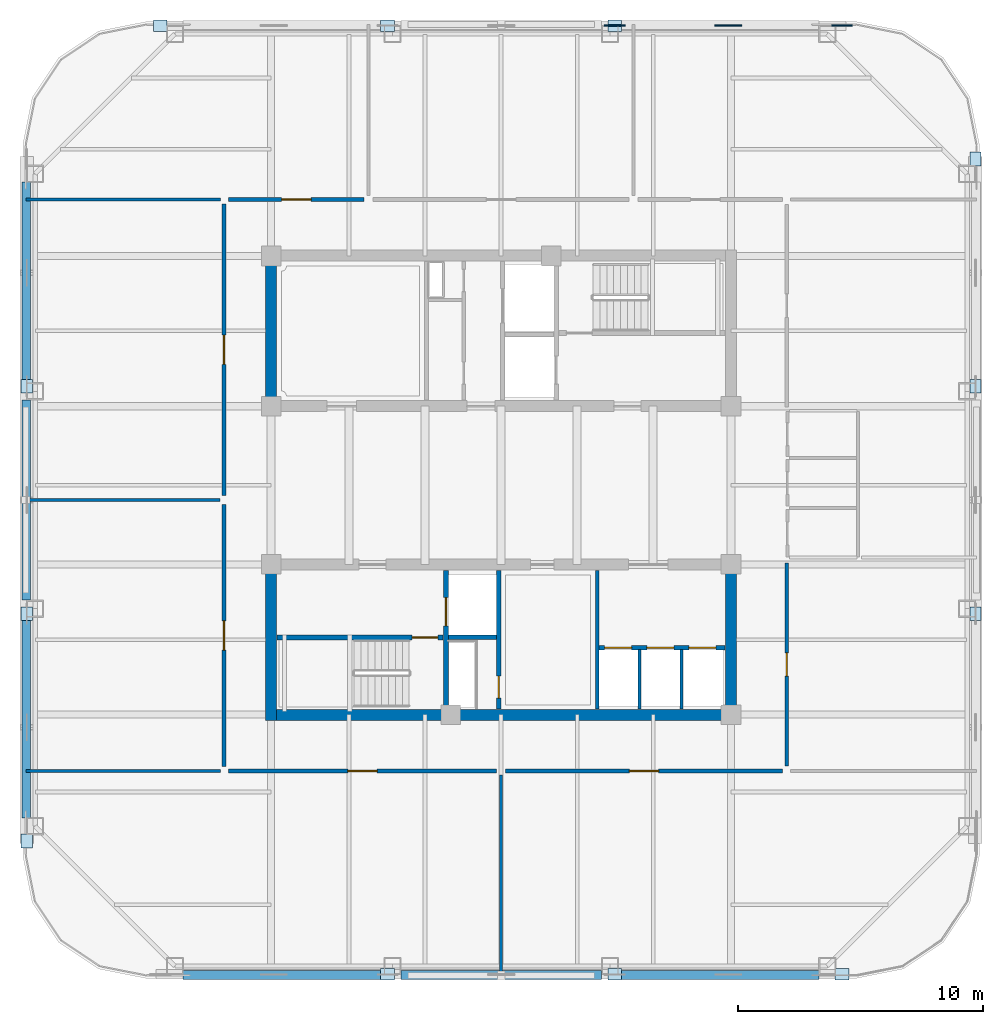
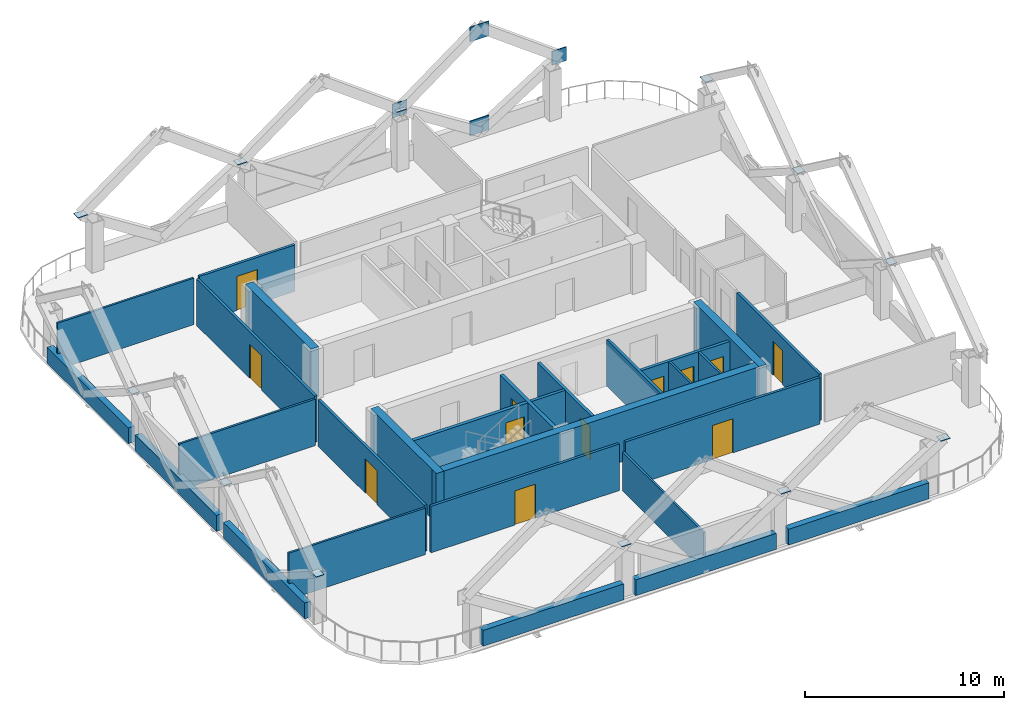
# One storey, part 3 of 8: 28 walls, 16 plates, 12 doors, 12 openings.
"""IFC4 building model written with IfcOpenShell, lengths in metres."""

from ifc_helpers import new_model, si_unit, direction, frame, frame_2d, origin, origin_2d, place, context, subcontext, project, spatial, rectangle, extrude, material, layer, layer_set, type_object, element, fill, save


model = new_model("IFC4")

# Units and contexts
model_context = context("Model", 3, precision=1e-05, world=origin(), true_north=direction((0.0, 1.0)))
body_context = subcontext(model_context, "Body", "Model", "MODEL_VIEW")
ifc_project = project(units=[si_unit("LENGTHUNIT", "METRE"), si_unit("AREAUNIT", "SQUARE_METRE"), si_unit("VOLUMEUNIT", "CUBIC_METRE"), si_unit("PLANEANGLEUNIT", "RADIAN"), si_unit("MASSUNIT", "GRAM", prefix="KILO")], contexts=[model_context])

# Site, building, storey
site_placement = place(None, origin())
site = spatial("IfcSite", under=ifc_project, at=site_placement, CompositionType="ELEMENT")
building_placement = place(site_placement, origin())
building = spatial("IfcBuilding", under=site, at=building_placement, Name="Qhalaya Broadcast Tower", CompositionType="ELEMENT")
storey_placement = place(building_placement, frame((0.0, 0.0, 223.89990234375)))
storey = spatial("IfcBuildingStorey", under=building, at=storey_placement, Name="L66", CompositionType="ELEMENT", Elevation=223.89990234375)

# Plates
ifc_material_1 = material(Name="Structural Steel ASTM A572 Grade 50", Category="steel")
ifc_layer_1 = layer(ifc_material_1, 0.054931640625, Name="Structural Steel ASTM A572 Grade 50")
ifc_layer_set_1 = layer_set([ifc_layer_1], Name="Structural Steel ASTM A572 Grade 50")
plate_type_1 = type_object("IfcPlateType", Name="Exoskeleton Diamond Node Gusset Plate NP-01", PredefinedType="USERDEFINED", material=ifc_layer_set_1)
for number, where, z_axis, x_axis, name in (
    (1, (9.2666015625, 19.340087890625, 0.210205078125), (0.0, 0.0, 1.0), (1.0, 0.0, 0.0), "Exoskeleton Diamond Node B5-N1-BOT"),
    (2, (9.2666015625, 19.340087890625, 5.990234375), (0.0, 0.0, 1.0), (1.0, 0.0, 0.0), "Exoskeleton Diamond Node B5-N1-TOP"),
):
    element("IfcPlate", number, at=place(storey_placement, frame(where, z_axis=z_axis, x_axis=x_axis)), inside=storey, type_object=plate_type_1, Name=name, ObjectType="GUSSET_PLATE", PredefinedType="USERDEFINED", context=body_context, shape_type="SweptSolid", body=[
        extrude(rectangle(XDim=1.10009765625, YDim=0.054931640625, at=origin_2d()), origin(), (0.0, 0.0, 1.0), 0.89990234375),
    ])
for number, where, z_axis, x_axis, name in (
    (3, (13.89990234375, 19.340087890625, 2.885009765625), (0.0, 0.0, 1.0), (1.0, 0.0, 0.0), "Exoskeleton Diamond Node B5-N1-MDL"),
    (4, (4.63330078125, 19.340087890625, 2.885009765625), (0.0, 0.0, 1.0), (1.0, 0.0, 0.0), "Exoskeleton Diamond Node B5-N2-MDL"),
):
    element("IfcPlate", number, at=place(storey_placement, frame(where, z_axis=z_axis, x_axis=x_axis)), inside=storey, type_object=plate_type_1, Name=name, ObjectType="GUSSET_PLATE", PredefinedType="USERDEFINED", context=body_context, shape_type="SweptSolid", body=[
        extrude(rectangle(XDim=0.85009765625, YDim=0.054931640625, at=origin_2d()), origin(), (0.0, 0.0, 1.0), 0.85009765625),
    ])
ifc_layer_2 = layer(ifc_material_1, 0.4599609375, Name="Structural Steel ASTM A572 Grade 50")
ifc_layer_set_2 = layer_set([ifc_layer_2], Name="Structural Steel ASTM A572 Grade 50")
plate_type_2 = type_object("IfcPlateType", Name="Hollow Box Member End Cap Plate CP-01", PredefinedType="USERDEFINED", material=ifc_layer_set_2)
for number, where, z_axis, x_axis, name in (
    (5, (-4.63330078125, -19.340087890625, 3.2939453125), (0.0, 0.0, 1.0), (1.0, 0.0, 0.0), "Exoskeleton Hollow End Cap B5-S1"),
    (6, (4.63330078125, -19.340087890625, 3.2939453125), (0.0, 0.0, 1.0), (1.0, 0.0, 0.0), "Exoskeleton Hollow End Cap B5-S2"),
    (7, (13.89990234375, -19.340087890625, 3.2939453125), (0.0, 0.0, 1.0), (1.0, 0.0, 0.0), "Exoskeleton Hollow End Cap B5-S3"),
    (8, (19.340087890625, -4.63330078125, 3.2939453125), (0.0, 0.0, 1.0), (0.0, 1.0, 0.0), "Exoskeleton Hollow End Cap B5-E1"),
    (9, (19.340087890625, 4.63330078125, 3.2939453125), (0.0, 0.0, 1.0), (0.0, 1.0, 0.0), "Exoskeleton Hollow End Cap B5-E2"),
    (10, (19.340087890625, 13.89990234375, 3.2939453125), (0.0, 0.0, 1.0), (0.0, 1.0, 0.0), "Exoskeleton Hollow End Cap B5-E3"),
    (11, (4.63330078125, 19.340087890625, 3.2939453125), (0.0, 0.0, 1.0), (1.0, 0.0, 0.0), "Exoskeleton Hollow End Cap B5-N1"),
    (12, (-4.63330078125, 19.340087890625, 3.2939453125), (0.0, 0.0, 1.0), (1.0, 0.0, 0.0), "Exoskeleton Hollow End Cap B5-N2"),
    (13, (-13.89990234375, 19.340087890625, 3.2939453125), (0.0, 0.0, 1.0), (1.0, 0.0, 0.0), "Exoskeleton Hollow End Cap B5-N3"),
    (14, (-19.340087890625, 4.63330078125, 3.2939453125), (0.0, 0.0, 1.0), (0.0, 1.0, 0.0), "Exoskeleton Hollow End Cap B5-W1"),
    (15, (-19.340087890625, -4.63330078125, 3.2939453125), (0.0, 0.0, 1.0), (0.0, 1.0, 0.0), "Exoskeleton Hollow End Cap B5-W2"),
    (16, (-19.340087890625, -13.89990234375, 3.2939453125), (0.0, 0.0, 1.0), (0.0, 1.0, 0.0), "Exoskeleton Hollow End Cap B5-W3"),
):
    element("IfcPlate", number, at=place(storey_placement, frame(where, z_axis=z_axis, x_axis=x_axis)), inside=storey, type_object=plate_type_2, Name=name, ObjectType="COVER_PLATE", PredefinedType="USERDEFINED", context=body_context, shape_type="SweptSolid", body=[
        extrude(rectangle(XDim=0.56005859375, YDim=0.4599609375, at=origin_2d()), origin(), (0.0, 0.0, 1.0), 0.031982421875),
    ])

# Wall
ifc_material_2 = material(Name="Gypsum Acoustic Partition")
ifc_layer_3 = layer(ifc_material_2, 0.14990234375, Name="Gypsum Acoustic Partition")
ifc_layer_set_3 = layer_set([ifc_layer_3], Name="Gypsum Acoustic Partition")
wall_type_1 = type_object("IfcWallType", Name="Corridor & Tenancy Acoustic Partition 150", PredefinedType="PARTITIONING", material=ifc_layer_set_3)
wall_1_placement = place(storey_placement, frame((3.919921875, -8.530029296875, 0.0), z_axis=(0.0, 0.0, 1.0), x_axis=(0.0, 1.0, 0.0)))
element("IfcWall", 17, at=wall_1_placement, inside=storey, type_object=wall_type_1, Name="L66 Partition Wall SCW-HSEP", PredefinedType="PARTITIONING", context=body_context, shape_type="SweptSolid", body=[
    extrude(rectangle(XDim=5.659912109375, YDim=0.14990234375, at=frame_2d((2.830078125, 0.0))), origin(), (0.0, 0.0, 1.0), 2.860107421875),
])

# Wall, opening, door
wall_2_placement = place(storey_placement, frame((-11.1201171875, 12.25, 0.0), z_axis=(0.0, 0.0, 1.0), x_axis=(1.0, 0.0, 0.0)))
wall_2 = element("IfcWall", 18, at=wall_2_placement, inside=storey, type_object=wall_type_1, Name="L66 Partition Wall W-COR-01", PredefinedType="PARTITIONING", context=body_context, shape_type="SweptSolid", body=[
    extrude(rectangle(XDim=5.5400390625, YDim=0.14990234375, at=frame_2d((2.77001953125, 0.0))), origin(), (0.0, 0.0, 1.0), 2.860107421875),
])
opening_1_placement = place(wall_2_placement, frame((2.169921875, 0.0, 0.0)))
opening_1 = element("IfcOpeningElement", 19, at=opening_1_placement, cuts=wall_2, Name="Opening D11", PredefinedType="OPENING", context=body_context, shape_type="SweptSolid", body=[
    extrude(rectangle(XDim=1.199951171875, YDim=2.10009765625, at=frame_2d((0.60009765625, 1.050048828125))), frame((0.0, 0.0869140625, 0.0), z_axis=(0.0, -1.0, 0.0), x_axis=(1.0, 0.0, 0.0)), (0.0, 0.0, 1.0), 0.173828125),
])
ifc_material_3 = material(Name="Anodised Aluminium Glazed Door", Category="aluminium")
door_type_1 = type_object("IfcDoorType", Name="Conference, Boardroom & Studio Control Door D11", OperationType="NOTDEFINED", PredefinedType="DOOR", material=ifc_material_3)
door_1_placement = place(opening_1_placement, origin())
door_1 = element("IfcDoor", 20, at=door_1_placement, inside=storey, type_object=door_type_1, Name="L66 Door D-RM01", OperationType="SINGLE_SWING_RIGHT", OverallHeight=2.10009765625, OverallWidth=1.199951171875, PredefinedType="DOOR", context=body_context, shape_type="SweptSolid", body=[
    extrude(rectangle(XDim=1.199951171875, YDim=2.10009765625, at=frame_2d((0.60009765625, 1.050048828125))), frame((0.0, 0.02490234375, 0.0), z_axis=(0.0, -1.0, 0.0), x_axis=(1.0, 0.0, 0.0)), (0.0, 0.0, 1.0), 0.050048828125),
])
fill(opening_1, door_1)

wall_3_placement = place(storey_placement, frame((-11.1201171875, -11.050048828125, 0.0), z_axis=(0.0, 0.0, 1.0), x_axis=(1.0, 0.0, 0.0)))
wall_3 = element("IfcWall", 21, at=wall_3_placement, inside=storey, type_object=wall_type_1, Name="L66 Partition Wall W-COR-04", PredefinedType="PARTITIONING", context=body_context, shape_type="SweptSolid", body=[
    extrude(rectangle(XDim=10.940185546875, YDim=0.14990234375, at=frame_2d((5.47021484375, 0.0))), origin(), (0.0, 0.0, 1.0), 2.860107421875),
])
opening_2_placement = place(wall_3_placement, frame((4.8701171875, 0.0, 0.0)))
opening_2 = element("IfcOpeningElement", 22, at=opening_2_placement, cuts=wall_3, Name="Opening D11", PredefinedType="OPENING", context=body_context, shape_type="SweptSolid", body=[
    extrude(rectangle(XDim=1.199951171875, YDim=2.10009765625, at=frame_2d((0.60009765625, 1.050048828125))), frame((0.0, 0.0869140625, 0.0), z_axis=(0.0, -1.0, 0.0), x_axis=(1.0, 0.0, 0.0)), (0.0, 0.0, 1.0), 0.173828125),
])
door_2_placement = place(opening_2_placement, origin())
door_2 = element("IfcDoor", 23, at=door_2_placement, inside=storey, type_object=door_type_1, Name="L66 Door D-RM04", OperationType="SINGLE_SWING_LEFT", OverallHeight=2.10009765625, OverallWidth=1.199951171875, PredefinedType="DOOR", context=body_context, shape_type="SweptSolid", body=[
    extrude(rectangle(XDim=1.199951171875, YDim=2.10009765625, at=frame_2d((0.60009765625, 1.050048828125))), frame((0.0, 0.02490234375, 0.0), z_axis=(0.0, -1.0, 0.0), x_axis=(1.0, 0.0, 0.0)), (0.0, 0.0, 1.0), 0.050048828125),
])
fill(opening_2, door_2)

wall_4_placement = place(storey_placement, frame((0.179931640625, -11.050048828125, 0.0), z_axis=(0.0, 0.0, 1.0), x_axis=(1.0, 0.0, 0.0)))
wall_4 = element("IfcWall", 24, at=wall_4_placement, inside=storey, type_object=wall_type_1, Name="L66 Partition Wall W-COR-05", PredefinedType="PARTITIONING", context=body_context, shape_type="SweptSolid", body=[
    extrude(rectangle(XDim=11.2900390625, YDim=0.14990234375, at=frame_2d((5.64501953125, 0.0))), origin(), (0.0, 0.0, 1.0), 2.860107421875),
])
opening_3_placement = place(wall_4_placement, frame((5.044921875, 0.0, 0.0)))
opening_3 = element("IfcOpeningElement", 25, at=opening_3_placement, cuts=wall_4, Name="Opening D11", PredefinedType="OPENING", context=body_context, shape_type="SweptSolid", body=[
    extrude(rectangle(XDim=1.199951171875, YDim=2.10009765625, at=frame_2d((0.60009765625, 1.050048828125))), frame((0.0, 0.0869140625, 0.0), z_axis=(0.0, -1.0, 0.0), x_axis=(1.0, 0.0, 0.0)), (0.0, 0.0, 1.0), 0.173828125),
])
door_3_placement = place(opening_3_placement, origin())
door_3 = element("IfcDoor", 26, at=door_3_placement, inside=storey, type_object=door_type_1, Name="L66 Door D-RM05", OperationType="SINGLE_SWING_RIGHT", OverallHeight=2.10009765625, OverallWidth=1.199951171875, PredefinedType="DOOR", context=body_context, shape_type="SweptSolid", body=[
    extrude(rectangle(XDim=1.199951171875, YDim=2.10009765625, at=frame_2d((0.60009765625, 1.050048828125))), frame((0.0, 0.02490234375, 0.0), z_axis=(0.0, -1.0, 0.0), x_axis=(1.0, 0.0, 0.0)), (0.0, 0.0, 1.0), 0.050048828125),
])
fill(opening_3, door_3)

wall_5_placement = place(storey_placement, frame((-11.300048828125, -10.8701171875, 0.0), z_axis=(0.0, 0.0, 1.0), x_axis=(0.0, 1.0, 0.0)))
wall_5 = element("IfcWall", 27, at=wall_5_placement, inside=storey, type_object=wall_type_1, Name="L66 Partition Wall W-COR-06", PredefinedType="PARTITIONING", context=body_context, shape_type="SweptSolid", body=[
    extrude(rectangle(XDim=10.690185546875, YDim=0.14990234375, at=frame_2d((5.34521484375, 0.0))), origin(), (0.0, 0.0, 1.0), 2.860107421875),
])
opening_4_placement = place(wall_5_placement, frame((4.7451171875, 0.0, 0.0)))
opening_4 = element("IfcOpeningElement", 28, at=opening_4_placement, cuts=wall_5, Name="Opening D11", PredefinedType="OPENING", context=body_context, shape_type="SweptSolid", body=[
    extrude(rectangle(XDim=1.199951171875, YDim=2.10009765625, at=frame_2d((0.60009765625, 1.050048828125))), frame((0.0, 0.0869140625, 0.0), z_axis=(0.0, -1.0, 0.0), x_axis=(1.0, 0.0, 0.0)), (0.0, 0.0, 1.0), 0.173828125),
])
door_4_placement = place(opening_4_placement, origin())
door_4 = element("IfcDoor", 29, at=door_4_placement, inside=storey, type_object=door_type_1, Name="L66 Door D-RM06", OperationType="SINGLE_SWING_LEFT", OverallHeight=2.10009765625, OverallWidth=1.199951171875, PredefinedType="DOOR", context=body_context, shape_type="SweptSolid", body=[
    extrude(rectangle(XDim=1.199951171875, YDim=2.10009765625, at=frame_2d((0.60009765625, 1.050048828125))), frame((0.0, 0.02490234375, 0.0), z_axis=(0.0, -1.0, 0.0), x_axis=(1.0, 0.0, 0.0)), (0.0, 0.0, 1.0), 0.050048828125),
])
fill(opening_4, door_4)

wall_6_placement = place(storey_placement, frame((-11.300048828125, 0.179931640625, 0.0), z_axis=(0.0, 0.0, 1.0), x_axis=(0.0, 1.0, 0.0)))
wall_6 = element("IfcWall", 30, at=wall_6_placement, inside=storey, type_object=wall_type_1, Name="L66 Partition Wall W-COR-07", PredefinedType="PARTITIONING", context=body_context, shape_type="SweptSolid", body=[
    extrude(rectangle(XDim=11.89013671875, YDim=0.14990234375, at=frame_2d((5.945068359375, 0.0))), origin(), (0.0, 0.0, 1.0), 2.860107421875),
])
opening_5_placement = place(wall_6_placement, frame((5.344970703125, 0.0, 0.0)))
opening_5 = element("IfcOpeningElement", 31, at=opening_5_placement, cuts=wall_6, Name="Opening D11", PredefinedType="OPENING", context=body_context, shape_type="SweptSolid", body=[
    extrude(rectangle(XDim=1.199951171875, YDim=2.10009765625, at=frame_2d((0.60009765625, 1.050048828125))), frame((0.0, 0.0869140625, 0.0), z_axis=(0.0, -1.0, 0.0), x_axis=(1.0, 0.0, 0.0)), (0.0, 0.0, 1.0), 0.173828125),
])
door_5_placement = place(opening_5_placement, origin())
door_5 = element("IfcDoor", 32, at=door_5_placement, inside=storey, type_object=door_type_1, Name="L66 Door D-RM07", OperationType="SINGLE_SWING_RIGHT", OverallHeight=2.10009765625, OverallWidth=1.199951171875, PredefinedType="DOOR", context=body_context, shape_type="SweptSolid", body=[
    extrude(rectangle(XDim=1.199951171875, YDim=2.10009765625, at=frame_2d((0.60009765625, 1.050048828125))), frame((0.0, 0.02490234375, 0.0), z_axis=(0.0, -1.0, 0.0), x_axis=(1.0, 0.0, 0.0)), (0.0, 0.0, 1.0), 0.050048828125),
])
fill(opening_5, door_5)

wall_7_placement = place(storey_placement, frame((11.64990234375, -10.85009765625, 0.0), z_axis=(0.0, 0.0, 1.0), x_axis=(0.0, 1.0, 0.0)))
wall_7 = element("IfcWall", 33, at=wall_7_placement, inside=storey, type_object=wall_type_1, Name="L66 Partition Wall W-COR-08", PredefinedType="PARTITIONING", context=body_context, shape_type="SweptSolid", body=[
    extrude(rectangle(XDim=8.2900390625, YDim=0.14990234375, at=frame_2d((4.14501953125, 0.0))), origin(), (0.0, 0.0, 1.0), 2.860107421875),
])
opening_6_placement = place(wall_7_placement, frame((3.669921875, 0.0, 0.0)))
opening_6 = element("IfcOpeningElement", 34, at=opening_6_placement, cuts=wall_7, Name="Opening D10", PredefinedType="OPENING", context=body_context, shape_type="SweptSolid", body=[
    extrude(rectangle(XDim=0.949951171875, YDim=2.10009765625, at=frame_2d((0.47509765625, 1.050048828125))), frame((0.0, 0.0869140625, 0.0), z_axis=(0.0, -1.0, 0.0), x_axis=(1.0, 0.0, 0.0)), (0.0, 0.0, 1.0), 0.173828125),
])
ifc_material_4 = material(Name="Timber Veneer Acoustic Door", Category="wood")
door_type_2 = type_object("IfcDoorType", Name="Cellular Office & Edit Booth Door D10", OperationType="NOTDEFINED", PredefinedType="DOOR", material=ifc_material_4)
door_6_placement = place(opening_6_placement, origin())
door_6 = element("IfcDoor", 35, at=door_6_placement, inside=storey, type_object=door_type_2, Name="L66 Door D-RM08", OperationType="SINGLE_SWING_LEFT", OverallHeight=2.10009765625, OverallWidth=0.949951171875, PredefinedType="DOOR", context=body_context, shape_type="SweptSolid", body=[
    extrude(rectangle(XDim=0.949951171875, YDim=2.10009765625, at=frame_2d((0.47509765625, 1.050048828125))), frame((0.0, 0.02490234375, 0.0), z_axis=(0.0, -1.0, 0.0), x_axis=(1.0, 0.0, 0.0)), (0.0, 0.0, 1.0), 0.050048828125),
])
fill(opening_6, door_6)

# Walls
ifc_material_5 = material(Name="Precast Concrete C40/50", Category="concrete")
ifc_layer_4 = layer(ifc_material_5, 0.360107421875, Name="Precast Concrete C40/50")
ifc_layer_set_4 = layer_set([ifc_layer_4], Name="Precast Concrete C40/50")
wall_type_2 = type_object("IfcWallType", Name="Insulated Precast Terracotta Exterior Wall 360", PredefinedType="SOLIDWALL", material=ifc_layer_set_4)
wall_8_placement = place(storey_placement, frame((12.9619140625, -19.360107421875, 0.0), z_axis=(0.0, 0.0, 1.0), x_axis=(-1.0, 0.0, 0.0)))
element("IfcWall", 36, at=wall_8_placement, inside=storey, type_object=wall_type_2, Name="L66 Exoskeleton Diagrid Infill Wall S1", PredefinedType="SOLIDWALL", context=body_context, shape_type="SweptSolid", body=[
    extrude(rectangle(XDim=8.1787109375, YDim=0.360107421875, at=frame_2d((4.08935546875, 0.0))), origin(), (0.0, 0.0, 1.0), 0.97998046875),
])
wall_9_placement = place(storey_placement, frame((4.083251953125, -19.360107421875, 0.0), z_axis=(0.0, 0.0, 1.0), x_axis=(-1.0, 0.0, 0.0)))
element("IfcWall", 37, at=wall_9_placement, inside=storey, type_object=wall_type_2, Name="L66 Exoskeleton Diagrid Infill Wall S2", PredefinedType="SOLIDWALL", context=body_context, shape_type="SweptSolid", body=[
    extrude(rectangle(XDim=8.16650390625, YDim=0.360107421875, at=frame_2d((4.083251953125, 0.0))), origin(), (0.0, 0.0, 1.0), 0.97998046875),
])
for number, where, z_axis, x_axis, name in (
    (38, (-4.783203125, -19.360107421875, 0.0), (0.0, 0.0, 1.0), (-1.0, 0.0, 0.0), "L66 Exoskeleton Diagrid Infill Wall S3"),
    (39, (-19.360107421875, -12.9619140625, 0.0), (0.0, 0.0, 1.0), (0.0, 1.0, 0.0), "L66 Exoskeleton Diagrid Infill Wall W1"),
):
    element("IfcWall", number, at=place(storey_placement, frame(where, z_axis=z_axis, x_axis=x_axis)), inside=storey, type_object=wall_type_2, Name=name, PredefinedType="SOLIDWALL", context=body_context, shape_type="SweptSolid", body=[
        extrude(rectangle(XDim=8.1787109375, YDim=0.360107421875, at=frame_2d((4.08935546875, 0.0))), origin(), (0.0, 0.0, 1.0), 0.97998046875),
    ])
wall_10_placement = place(storey_placement, frame((-19.360107421875, -4.083251953125, 0.0), z_axis=(0.0, 0.0, 1.0), x_axis=(0.0, 1.0, 0.0)))
element("IfcWall", 40, at=wall_10_placement, inside=storey, type_object=wall_type_2, Name="L66 Exoskeleton Diagrid Infill Wall W2", PredefinedType="SOLIDWALL", context=body_context, shape_type="SweptSolid", body=[
    extrude(rectangle(XDim=8.16650390625, YDim=0.360107421875, at=frame_2d((4.083251953125, 0.0))), origin(), (0.0, 0.0, 1.0), 0.97998046875),
])
wall_11_placement = place(storey_placement, frame((-19.360107421875, 4.783203125, 0.0), z_axis=(0.0, 0.0, 1.0), x_axis=(0.0, 1.0, 0.0)))
element("IfcWall", 41, at=wall_11_placement, inside=storey, type_object=wall_type_2, Name="L66 Exoskeleton Diagrid Infill Wall W3", PredefinedType="SOLIDWALL", context=body_context, shape_type="SweptSolid", body=[
    extrude(rectangle(XDim=8.1787109375, YDim=0.360107421875, at=frame_2d((4.08935546875, 0.0))), origin(), (0.0, 0.0, 1.0), 0.97998046875),
])

# Wall, opening, door
ifc_material_6 = material(Name="Concrete C50/60", Category="concrete")
ifc_layer_5 = layer(ifc_material_6, 0.199951171875, Name="Concrete C50/60")
ifc_layer_set_5 = layer_set([ifc_layer_5], Name="Concrete C50/60")
wall_type_3 = type_object("IfcWallType", Name="Load-Bearing Stair Shaft Wall 200", PredefinedType="SHEAR", material=ifc_layer_set_5)
wall_12_placement = place(storey_placement, frame((-9.1298828125, -5.60498046875, 0.0), z_axis=(0.0, 0.0, 1.0), x_axis=(1.0, 0.0, 0.0)))
wall_12 = element("IfcWall", 42, at=wall_12_placement, inside=storey, type_object=wall_type_3, Name="L66 Stair Core Shear Wall SCW-ST2", PredefinedType="SHEAR", context=body_context, shape_type="SweptSolid", body=[
    extrude(rectangle(XDim=6.769775390625, YDim=0.199951171875, at=frame_2d((3.384765625, 0.0))), origin(), (0.0, 0.0, 1.0), 2.860107421875),
])
opening_7_placement = place(wall_12_placement, frame((5.5, 0.0, 0.0)))
opening_7 = element("IfcOpeningElement", 43, at=opening_7_placement, cuts=wall_12, Name="Opening D03", PredefinedType="OPENING", context=body_context, shape_type="SweptSolid", body=[
    extrude(rectangle(XDim=1.050048828125, YDim=2.080078125, at=frame_2d((0.52490234375, 1.0400390625))), frame((0.0, 0.112060546875, 0.0), z_axis=(0.0, -1.0, 0.0), x_axis=(1.0, 0.0, 0.0)), (0.0, 0.0, 1.0), 0.223876953125),
])
ifc_material_7 = material(Name="Fire-Rated Steel Door", Category="steel")
door_type_3 = type_object("IfcDoorType", Name="Core Stair Protected Fire Door D03", OperationType="NOTDEFINED", PredefinedType="DOOR", material=ifc_material_7)
door_7_placement = place(opening_7_placement, origin())
door_7 = element("IfcDoor", 44, at=door_7_placement, inside=storey, type_object=door_type_3, Name="L66 Door D-SST2", OperationType="SINGLE_SWING_RIGHT", OverallHeight=2.080078125, OverallWidth=1.050048828125, PredefinedType="DOOR", context=body_context, shape_type="SweptSolid", body=[
    extrude(rectangle(XDim=1.050048828125, YDim=2.080078125, at=frame_2d((0.52490234375, 1.0400390625))), frame((0.0, 0.02490234375, 0.0), z_axis=(0.0, -1.0, 0.0), x_axis=(1.0, 0.0, 0.0)), (0.0, 0.0, 1.0), 0.050048828125),
])
fill(opening_7, door_7)

wall_13_placement = place(storey_placement, frame((-2.25, -8.530029296875, 0.0), z_axis=(0.0, 0.0, 1.0), x_axis=(0.0, 1.0, 0.0)))
wall_13 = element("IfcWall", 45, at=wall_13_placement, inside=storey, type_object=wall_type_3, Name="L66 Stair Core Shear Wall SCW-FF", PredefinedType="SHEAR", context=body_context, shape_type="SweptSolid", body=[
    extrude(rectangle(XDim=5.659912109375, YDim=0.199951171875, at=frame_2d((2.830078125, 0.0))), origin(), (0.0, 0.0, 1.0), 2.860107421875),
])
opening_8_placement = place(wall_13_placement, frame((3.39990234375, 0.0, 0.0)))
opening_8 = element("IfcOpeningElement", 46, at=opening_8_placement, cuts=wall_13, Name="Opening LD2", PredefinedType="OPENING", context=body_context, shape_type="SweptSolid", body=[
    extrude(rectangle(XDim=1.14990234375, YDim=2.080078125, at=frame_2d((0.574951171875, 1.0400390625))), frame((0.0, 0.112060546875, 0.0), z_axis=(0.0, -1.0, 0.0), x_axis=(1.0, 0.0, 0.0)), (0.0, 0.0, 1.0), 0.223876953125),
])
ifc_material_8 = material(Name="Brushed Stainless Steel Lift Door", Category="steel")
door_type_4 = type_object("IfcDoorType", Name="Firefighting Lift Sliding Landing Door LD2", OperationType="DOUBLE_DOOR_SLIDING", PredefinedType="DOOR", material=ifc_material_8)
door_8_placement = place(opening_8_placement, origin())
door_8 = element("IfcDoor", 47, at=door_8_placement, inside=storey, type_object=door_type_4, Name="L66 Door LD-FF2", OperationType="DOUBLE_DOOR_SLIDING", OverallHeight=2.080078125, OverallWidth=1.14990234375, PredefinedType="DOOR", context=body_context, shape_type="SweptSolid", body=[
    extrude(rectangle(XDim=1.14990234375, YDim=2.080078125, at=frame_2d((0.574951171875, 1.0400390625))), frame((0.0, 0.02490234375, 0.0), z_axis=(0.0, -1.0, 0.0), x_axis=(1.0, 0.0, 0.0)), (0.0, 0.0, 1.0), 0.050048828125),
])
fill(opening_8, door_8)

# Walls
ifc_layer_6 = layer(ifc_material_2, 0.1201171875, Name="Gypsum Acoustic Partition")
ifc_layer_set_6 = layer_set([ifc_layer_6], Name="Gypsum Acoustic Partition")
wall_type_4 = type_object("IfcWallType", Name="Office, Booth & Sanitary Partition 120", PredefinedType="PARTITIONING", material=ifc_layer_set_6)
for number, where, z_axis, x_axis, name in (
    (48, (5.639892578125, -8.530029296875, 0.0), (0.0, 0.0, 1.0), (0.0, 1.0, 0.0), "L66 Partition Wall SCW-HD6"),
    (49, (7.360107421875, -8.530029296875, 0.0), (0.0, 0.0, 1.0), (0.0, 1.0, 0.0), "L66 Partition Wall SCW-HD7"),
):
    element("IfcWall", number, at=place(storey_placement, frame(where, z_axis=z_axis, x_axis=x_axis)), inside=storey, type_object=wall_type_4, Name=name, PredefinedType="PARTITIONING", context=body_context, shape_type="SweptSolid", body=[
        extrude(rectangle(XDim=2.429931640625, YDim=0.1201171875, at=frame_2d((1.21484375, 0.0))), origin(), (0.0, 0.0, 1.0), 2.860107421875),
    ])
for number, where, z_axis, x_axis, name in (
    (50, (-19.3798828125, 12.25, 0.0), (0.0, 0.0, 1.0), (1.0, 0.0, 0.0), "L66 Partition Wall W-BNDW1"),
    (51, (-19.3798828125, -11.050048828125, 0.0), (0.0, 0.0, 1.0), (1.0, 0.0, 0.0), "L66 Partition Wall W-BNDW2"),
):
    element("IfcWall", number, at=place(storey_placement, frame(where, z_axis=z_axis, x_axis=x_axis)), inside=storey, type_object=wall_type_4, Name=name, PredefinedType="PARTITIONING", context=body_context, shape_type="SweptSolid", body=[
        extrude(rectangle(XDim=7.93994140625, YDim=0.1201171875, at=frame_2d((3.969970703125, 0.0))), origin(), (0.0, 0.0, 1.0), 2.860107421875),
    ])
wall_14_placement = place(storey_placement, frame((0.0, -19.3798828125, 0.0), z_axis=(0.0, 0.0, 1.0), x_axis=(0.0, 1.0, 0.0)))
element("IfcWall", 52, at=wall_14_placement, inside=storey, type_object=wall_type_4, Name="L66 Partition Wall W-DIVS1", PredefinedType="PARTITIONING", context=body_context, shape_type="SweptSolid", body=[
    extrude(rectangle(XDim=8.169921875, YDim=0.1201171875, at=frame_2d((4.0849609375, 0.0))), origin(), (0.0, 0.0, 1.0), 2.381103515625),
])
wall_15_placement = place(storey_placement, frame((-19.3798828125, 0.0, 0.0), z_axis=(0.0, 0.0, 1.0), x_axis=(1.0, 0.0, 0.0)))
element("IfcWall", 53, at=wall_15_placement, inside=storey, type_object=wall_type_4, Name="L66 Partition Wall W-DIVW1", PredefinedType="PARTITIONING", context=body_context, shape_type="SweptSolid", body=[
    extrude(rectangle(XDim=7.919921875, YDim=0.1201171875, at=frame_2d((3.9599609375, 0.0))), origin(), (0.0, 0.0, 1.0), 2.860107421875),
])

# Wall, opening, door
ifc_layer_7 = layer(ifc_material_2, 0.175048828125, Name="Gypsum Acoustic Partition")
ifc_layer_set_7 = layer_set([ifc_layer_7], Name="Gypsum Acoustic Partition")
wall_type_5 = type_object("IfcWallType", Name="Shaft & Riser Fire Partition 175", PredefinedType="PARTITIONING", material=ifc_layer_set_7)
wall_16_placement = place(storey_placement, frame((-0.10009765625, -8.530029296875, 0.0), z_axis=(0.0, 0.0, 1.0), x_axis=(0.0, 1.0, 0.0)))
wall_16 = element("IfcWall", 54, at=wall_16_placement, inside=storey, type_object=wall_type_5, Name="L66 Partition Wall SCW-FFE", PredefinedType="PARTITIONING", context=body_context, shape_type="SweptSolid", body=[
    extrude(rectangle(XDim=5.659912109375, YDim=0.175048828125, at=frame_2d((2.830078125, 0.0))), origin(), (0.0, 0.0, 1.0), 2.860107421875),
])
opening_9_placement = place(wall_16_placement, frame((0.449951171875, 0.0, 0.0)))
opening_9 = element("IfcOpeningElement", 55, at=opening_9_placement, cuts=wall_16, Name="Opening D06", PredefinedType="OPENING", context=body_context, shape_type="SweptSolid", body=[
    extrude(rectangle(XDim=0.89990234375, YDim=2.050048828125, at=frame_2d((0.449951171875, 1.02490234375))), frame((0.0, 0.099609375, 0.0), z_axis=(0.0, -1.0, 0.0), x_axis=(1.0, 0.0, 0.0)), (0.0, 0.0, 1.0), 0.198974609375),
])
door_type_5 = type_object("IfcDoorType", Name="Riser & Electrical Shaft Access Door D06", OperationType="NOTDEFINED", PredefinedType="DOOR", material=ifc_material_7)
door_9_placement = place(opening_9_placement, origin())
door_9 = element("IfcDoor", 56, at=door_9_placement, inside=storey, type_object=door_type_5, Name="L66 Riser Shaft Access Door D-SRSR", OperationType="SINGLE_SWING_LEFT", OverallHeight=2.050048828125, OverallWidth=0.89990234375, PredefinedType="DOOR", context=body_context, shape_type="SweptSolid", body=[
    extrude(rectangle(XDim=0.89990234375, YDim=2.050048828125, at=frame_2d((0.449951171875, 1.02490234375))), frame((0.0, 0.02490234375, 0.0), z_axis=(0.0, -1.0, 0.0), x_axis=(1.0, 0.0, 0.0)), (0.0, 0.0, 1.0), 0.050048828125),
])
fill(opening_9, door_9)

# Wall
wall_17_placement = place(storey_placement, frame((-2.14990234375, -5.60009765625, 0.0), z_axis=(0.0, 0.0, 1.0), x_axis=(1.0, 0.0, 0.0)))
element("IfcWall", 57, at=wall_17_placement, inside=storey, type_object=wall_type_5, Name="L66 Partition Wall SCW-FFM", PredefinedType="PARTITIONING", context=body_context, shape_type="SweptSolid", body=[
    extrude(rectangle(XDim=1.969970703125, YDim=0.175048828125, at=frame_2d((0.98486328125, 0.0))), origin(), (0.0, 0.0, 1.0), 2.860107421875),
])

# Wall, openings, doors
wall_18_placement = place(storey_placement, frame((4.0, -6.02001953125, 0.0), z_axis=(0.0, 0.0, 1.0), x_axis=(1.0, 0.0, 0.0)))
wall_18 = element("IfcWall", 58, at=wall_18_placement, inside=storey, type_object=wall_type_5, Name="L66 Partition Wall SCW-SLB", PredefinedType="PARTITIONING", context=body_context, shape_type="SweptSolid", body=[
    extrude(rectangle(XDim=5.1298828125, YDim=0.175048828125, at=frame_2d((2.56494140625, 0.0))), origin(), (0.0, 0.0, 1.0), 2.860107421875),
])
opening_10_placement = place(wall_18_placement, frame((0.219970703125, 0.0, 0.0)))
opening_10 = element("IfcOpeningElement", 59, at=opening_10_placement, cuts=wall_18, Name="Opening LD1", PredefinedType="OPENING", context=body_context, shape_type="SweptSolid", body=[
    extrude(rectangle(XDim=1.10009765625, YDim=2.06005859375, at=frame_2d((0.550048828125, 1.030029296875))), frame((0.0, 0.099609375, 0.0), z_axis=(0.0, -1.0, 0.0), x_axis=(1.0, 0.0, 0.0)), (0.0, 0.0, 1.0), 0.198974609375),
])
opening_11_placement = place(wall_18_placement, frame((1.93994140625, 0.0, 0.0)))
opening_11 = element("IfcOpeningElement", 60, at=opening_11_placement, cuts=wall_18, Name="Opening LD1", PredefinedType="OPENING", context=body_context, shape_type="SweptSolid", body=[
    extrude(rectangle(XDim=1.10009765625, YDim=2.06005859375, at=frame_2d((0.550048828125, 1.030029296875))), frame((0.0, 0.099609375, 0.0), z_axis=(0.0, -1.0, 0.0), x_axis=(1.0, 0.0, 0.0)), (0.0, 0.0, 1.0), 0.198974609375),
])
opening_12_placement = place(wall_18_placement, frame((3.659912109375, 0.0, 0.0)))
opening_12 = element("IfcOpeningElement", 61, at=opening_12_placement, cuts=wall_18, Name="Opening LD1", PredefinedType="OPENING", context=body_context, shape_type="SweptSolid", body=[
    extrude(rectangle(XDim=1.10009765625, YDim=2.06005859375, at=frame_2d((0.550048828125, 1.030029296875))), frame((0.0, 0.099609375, 0.0), z_axis=(0.0, -1.0, 0.0), x_axis=(1.0, 0.0, 0.0)), (0.0, 0.0, 1.0), 0.198974609375),
])
door_type_6 = type_object("IfcDoorType", Name="Passenger Lift Sliding Landing Door LD1", OperationType="DOUBLE_DOOR_SLIDING", PredefinedType="DOOR", material=ifc_material_8)
door_10_placement = place(opening_10_placement, origin())
door_10 = element("IfcDoor", 62, at=door_10_placement, inside=storey, type_object=door_type_6, Name="L66 Door LD-P6", OperationType="DOUBLE_DOOR_SLIDING", OverallHeight=2.06005859375, OverallWidth=1.10009765625, PredefinedType="DOOR", context=body_context, shape_type="SweptSolid", body=[
    extrude(rectangle(XDim=1.10009765625, YDim=2.06005859375, at=frame_2d((0.550048828125, 1.030029296875))), frame((0.0, 0.02490234375, 0.0), z_axis=(0.0, -1.0, 0.0), x_axis=(1.0, 0.0, 0.0)), (0.0, 0.0, 1.0), 0.050048828125),
])
fill(opening_10, door_10)
door_11_placement = place(opening_11_placement, origin())
door_11 = element("IfcDoor", 63, at=door_11_placement, inside=storey, type_object=door_type_6, Name="L66 Door LD-P7", OperationType="DOUBLE_DOOR_SLIDING", OverallHeight=2.06005859375, OverallWidth=1.10009765625, PredefinedType="DOOR", context=body_context, shape_type="SweptSolid", body=[
    extrude(rectangle(XDim=1.10009765625, YDim=2.06005859375, at=frame_2d((0.550048828125, 1.030029296875))), frame((0.0, 0.02490234375, 0.0), z_axis=(0.0, -1.0, 0.0), x_axis=(1.0, 0.0, 0.0)), (0.0, 0.0, 1.0), 0.050048828125),
])
fill(opening_11, door_11)
door_12_placement = place(opening_12_placement, origin())
door_12 = element("IfcDoor", 64, at=door_12_placement, inside=storey, type_object=door_type_6, Name="L66 Door LD-P8", OperationType="DOUBLE_DOOR_SLIDING", OverallHeight=2.06005859375, OverallWidth=1.10009765625, PredefinedType="DOOR", context=body_context, shape_type="SweptSolid", body=[
    extrude(rectangle(XDim=1.10009765625, YDim=2.06005859375, at=frame_2d((0.550048828125, 1.030029296875))), frame((0.0, 0.02490234375, 0.0), z_axis=(0.0, -1.0, 0.0), x_axis=(1.0, 0.0, 0.0)), (0.0, 0.0, 1.0), 0.050048828125),
])
fill(opening_12, door_12)

# Walls
ifc_layer_8 = layer(ifc_material_6, 0.449951171875, Name="Concrete C50/60")
ifc_layer_set_8 = layer_set([ifc_layer_8], Name="Concrete C50/60")
wall_type_6 = type_object("IfcWallType", Name="Upper Split-Core Shear Wall 450", PredefinedType="SHEAR", material=ifc_layer_set_8)
wall_19_placement = place(storey_placement, frame((-9.375, 3.60009765625, 0.0), z_axis=(0.0, 0.0, 1.0), x_axis=(0.0, 1.0, 0.0)))
element("IfcWall", 65, at=wall_19_placement, inside=storey, type_object=wall_type_6, Name="L66 Split-Core Shear Wall CW-NW", PredefinedType="SHEAR", context=body_context, shape_type="SweptSolid", body=[
    extrude(rectangle(XDim=6.599853515625, YDim=0.449951171875, at=frame_2d((3.2998046875, 0.0))), origin(), (0.0, 0.0, 1.0), 3.050048828125),
])
wall_20_placement = place(storey_placement, frame((-9.60009765625, -8.77490234375, 0.0), z_axis=(0.0, 0.0, 1.0), x_axis=(1.0, 0.0, 0.0)))
element("IfcWall", 66, at=wall_20_placement, inside=storey, type_object=wall_type_6, Name="L66 Split-Core Shear Wall CW-SS", PredefinedType="SHEAR", context=body_context, shape_type="SweptSolid", body=[
    extrude(rectangle(XDim=19.2001953125, YDim=0.449951171875, at=frame_2d((9.60009765625, 0.0))), origin(), (0.0, 0.0, 1.0), 3.050048828125),
])
for number, where, z_axis, x_axis, name in (
    (67, (-9.375, -9.0, 0.0), (0.0, 0.0, 1.0), (0.0, 1.0, 0.0), "L66 Split-Core Shear Wall CW-SW"),
    (68, (9.375, -9.0, 0.0), (0.0, 0.0, 1.0), (0.0, 1.0, 0.0), "L66 Split-Core Shear Wall CW-SE"),
):
    element("IfcWall", number, at=place(storey_placement, frame(where, z_axis=z_axis, x_axis=x_axis)), inside=storey, type_object=wall_type_6, Name=name, PredefinedType="SHEAR", context=body_context, shape_type="SweptSolid", body=[
        extrude(rectangle(XDim=6.60009765625, YDim=0.449951171875, at=frame_2d((3.300048828125, 0.0))), origin(), (0.0, 0.0, 1.0), 3.050048828125),
    ])

save(model, "model.ifc")
